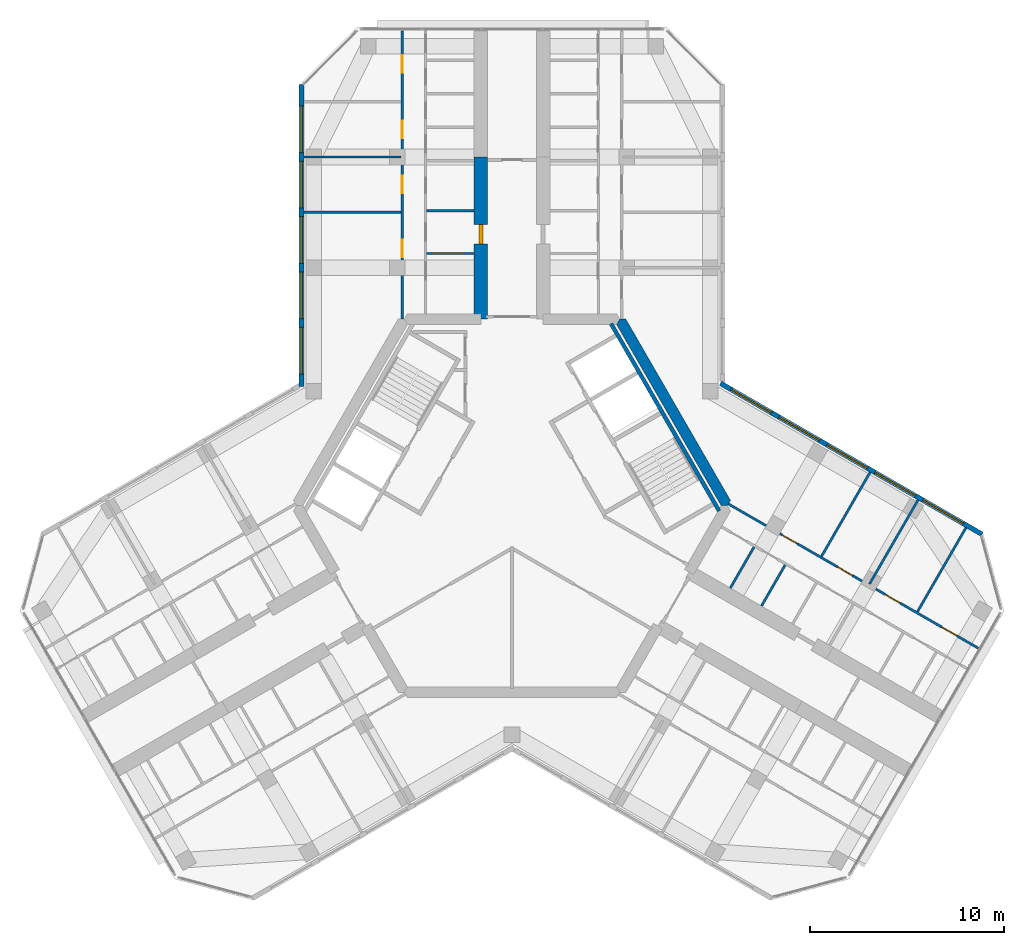
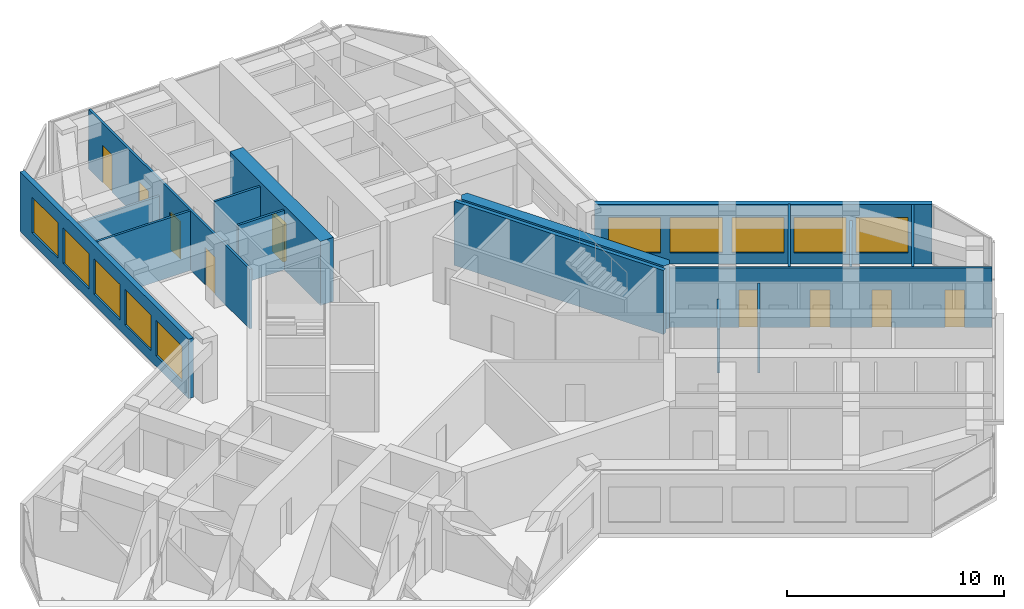
# One storey, part 11 of 14: 16 walls, 10 windows, 9 doors, 19 openings.
"""IFC4 building model written with IfcOpenShell, lengths in metres."""

from ifc_helpers import new_model, si_unit, direction, frame, frame_2d, origin, place, context, subcontext, project, spatial, polyline, rectangle, outline, extrude, material, layer, layer_set, type_object, element, fill, save


model = new_model("IFC4")

# Units and contexts
model_context = context("Model", 3, precision=1e-05, world=origin(), true_north=direction((0.0, 1.0)))
body_context = subcontext(model_context, "Body", "Model", "MODEL_VIEW")
ifc_project = project(units=[si_unit("LENGTHUNIT", "METRE"), si_unit("AREAUNIT", "SQUARE_METRE"), si_unit("VOLUMEUNIT", "CUBIC_METRE"), si_unit("PLANEANGLEUNIT", "RADIAN"), si_unit("MASSUNIT", "GRAM", prefix="KILO")], contexts=[model_context])

# Site, building, storey
site_placement = place(None, origin())
site = spatial("IfcSite", under=ifc_project, at=site_placement, CompositionType="ELEMENT")
building_placement = place(site_placement, origin())
building = spatial("IfcBuilding", under=site, at=building_placement, Name="Kosmar Iwan School Tower", CompositionType="ELEMENT")
storey_placement = place(building_placement, frame((0.0, 0.0, 281.800048828125)))
storey = spatial("IfcBuildingStorey", under=building, at=storey_placement, Name="L71", CompositionType="ELEMENT", Elevation=281.800048828125)

# Wall
ifc_material_1 = material(Name="Concrete C50/60", Category="concrete")
ifc_layer_1 = layer(ifc_material_1, 0.550048828125)
ifc_layer_set_1 = layer_set([ifc_layer_1], Name="Core wall 550")
wall_type_1 = type_object("IfcWallType", Name="Core wall 550", PredefinedType="SHEAR", material=ifc_layer_set_1)
wall_1_placement = place(storey_placement, origin())
element("IfcWall", 1, at=wall_1_placement, inside=storey, type_object=wall_type_1, Name="Core wall F030", PredefinedType="SHEAR", context=body_context, shape_type="SweptSolid", body=[
    extrude(outline(polyline([(10.767578125, 0.0), (11.085205078125, 0.0), (11.243896484375, 0.27490234375), (5.860107421875, 9.60009765625), (5.54248046875, 9.60009765625), (5.3837890625, 9.324951171875), (10.767578125, 0.0)])), origin(), (0.0, 0.0, 1.0), 3.599853515625),
])

# Wall, opening, door
ifc_material_2 = material(Name="Concrete C50/60", Category="concrete")
ifc_layer_2 = layer(ifc_material_2, 0.699951171875)
ifc_layer_set_2 = layer_set([ifc_layer_2], Name="Corridor buttress wall 700")
wall_type_2 = type_object("IfcWallType", Name="Corridor buttress wall 700", PredefinedType="SHEAR", material=ifc_layer_set_2)
wall_2_placement = place(storey_placement, frame((-1.60009765625, 9.60009765625, 0.0), z_axis=(0.0, 0.0, 1.0), x_axis=(0.0, 1.0, 0.0)))
wall_2 = element("IfcWall", 2, at=wall_2_placement, inside=storey, type_object=wall_type_2, Name="Corridor wall AL", PredefinedType="SHEAR", context=body_context, shape_type="SweptSolid", body=[
    extrude(rectangle(XDim=8.349853515625, YDim=0.699951171875, at=frame_2d((4.1748046875, 0.0))), origin(), (0.0, 0.0, 1.0), 3.599853515625),
])
opening_1_placement = place(wall_2_placement, frame((3.8798828125, 0.0, 0.0)))
opening_1 = element("IfcOpeningElement", 3, at=opening_1_placement, cuts=wall_2, Name="Opening D1", PredefinedType="OPENING", context=body_context, shape_type="SweptSolid", body=[
    extrude(rectangle(XDim=1.0, YDim=2.10009765625, at=frame_2d((0.5, 1.050048828125))), frame((0.0, 0.362060546875, 0.0), z_axis=(0.0, -1.0, 0.0), x_axis=(1.0, 0.0, 0.0)), (0.0, 0.0, 1.0), 0.723876953125),
])
ifc_material_3 = material(Name="Timber fire door in steel frame", Category="steel")
door_type_1 = type_object("IfcDoorType", Name="Flat entrance door 1000x2100", OperationType="SINGLE_SWING_LEFT", PredefinedType="DOOR", material=ifc_material_3)
door_1_placement = place(opening_1_placement, origin())
door_1 = element("IfcDoor", 4, at=door_1_placement, inside=storey, type_object=door_type_1, Name="Flat L71-AL1 entrance door", OperationType="SINGLE_SWING_LEFT", OverallHeight=2.10009765625, OverallWidth=1.0, PredefinedType="DOOR", context=body_context, shape_type="SweptSolid", body=[
    extrude(rectangle(XDim=1.0, YDim=2.10009765625, at=frame_2d((0.5, 1.050048828125))), frame((0.0, 0.10009765625, 0.0), z_axis=(0.0, -1.0, 0.0), x_axis=(1.0, 0.0, 0.0)), (0.0, 0.0, 1.0), 0.199951171875),
])
fill(opening_1, door_1)

# Wall, openings, doors
ifc_material_4 = material(Name="Gypsum board on steel studs", Category="steel")
ifc_layer_3 = layer(ifc_material_4, 0.1201171875)
ifc_layer_set_3 = layer_set([ifc_layer_3], Name="Dwelling partition 120")
wall_type_3 = type_object("IfcWallType", Name="Dwelling partition 120", PredefinedType="PARTITIONING", material=ifc_layer_set_3)
wall_3_placement = place(storey_placement, frame((-5.64990234375, 9.60009765625, 0.0), z_axis=(0.0, 0.0, 1.0), x_axis=(0.0, 1.0, 0.0)))
wall_3 = element("IfcWall", 5, at=wall_3_placement, inside=storey, type_object=wall_type_3, Name="Partition L71-AL1-W2", PredefinedType="PARTITIONING", context=body_context, shape_type="SweptSolid", body=[
    extrude(rectangle(XDim=14.844970703125, YDim=0.1201171875, at=frame_2d((7.42236328125, 0.0))), origin(), (0.0, 0.0, 1.0), 3.349853515625),
])
opening_2_placement = place(wall_3_placement, frame((3.199951171875, 0.0, 0.0)))
opening_2 = element("IfcOpeningElement", 6, at=opening_2_placement, cuts=wall_3, Name="Opening D2", PredefinedType="OPENING", context=body_context, shape_type="SweptSolid", body=[
    extrude(rectangle(XDim=0.89990234375, YDim=2.10009765625, at=frame_2d((0.449951171875, 1.050048828125))), frame((0.0, 0.072021484375, 0.0), z_axis=(0.0, -1.0, 0.0), x_axis=(1.0, 0.0, 0.0)), (0.0, 0.0, 1.0), 0.14404296875),
])
opening_3_placement = place(wall_3_placement, frame((6.47509765625, 0.0, 0.0)))
opening_3 = element("IfcOpeningElement", 7, at=opening_3_placement, cuts=wall_3, Name="Opening D2", PredefinedType="OPENING", context=body_context, shape_type="SweptSolid", body=[
    extrude(rectangle(XDim=0.89990234375, YDim=2.10009765625, at=frame_2d((0.449951171875, 1.050048828125))), frame((0.0, 0.072021484375, 0.0), z_axis=(0.0, -1.0, 0.0), x_axis=(1.0, 0.0, 0.0)), (0.0, 0.0, 1.0), 0.14404296875),
])
opening_4_placement = place(wall_3_placement, frame((9.324951171875, 0.0, 0.0)))
opening_4 = element("IfcOpeningElement", 8, at=opening_4_placement, cuts=wall_3, Name="Opening D2", PredefinedType="OPENING", context=body_context, shape_type="SweptSolid", body=[
    extrude(rectangle(XDim=0.89990234375, YDim=2.10009765625, at=frame_2d((0.449951171875, 1.050048828125))), frame((0.0, 0.072021484375, 0.0), z_axis=(0.0, -1.0, 0.0), x_axis=(1.0, 0.0, 0.0)), (0.0, 0.0, 1.0), 0.14404296875),
])
opening_5_placement = place(wall_3_placement, frame((12.675048828125, 0.0, 0.0)))
opening_5 = element("IfcOpeningElement", 9, at=opening_5_placement, cuts=wall_3, Name="Opening D2", PredefinedType="OPENING", context=body_context, shape_type="SweptSolid", body=[
    extrude(rectangle(XDim=0.89990234375, YDim=2.10009765625, at=frame_2d((0.449951171875, 1.050048828125))), frame((0.0, 0.072021484375, 0.0), z_axis=(0.0, -1.0, 0.0), x_axis=(1.0, 0.0, 0.0)), (0.0, 0.0, 1.0), 0.14404296875),
])
ifc_material_5 = material(Name="Timber door in timber frame", Category="wood")
door_type_2 = type_object("IfcDoorType", Name="Internal door 900x2100", OperationType="SINGLE_SWING_LEFT", PredefinedType="DOOR", material=ifc_material_5)
door_2_placement = place(opening_2_placement, origin())
door_2 = element("IfcDoor", 10, at=door_2_placement, inside=storey, type_object=door_type_2, Name="Living room and kitchen door L71-AL1-F1", OperationType="SINGLE_SWING_RIGHT", OverallHeight=2.10009765625, OverallWidth=0.89990234375, PredefinedType="DOOR", context=body_context, shape_type="SweptSolid", body=[
    extrude(rectangle(XDim=0.89990234375, YDim=2.10009765625, at=frame_2d((0.449951171875, 1.050048828125))), frame((0.0, 0.02490234375, 0.0), z_axis=(0.0, -1.0, 0.0), x_axis=(1.0, 0.0, 0.0)), (0.0, 0.0, 1.0), 0.050048828125),
])
fill(opening_2, door_2)
door_3_placement = place(opening_3_placement, origin())
door_3 = element("IfcDoor", 11, at=door_3_placement, inside=storey, type_object=door_type_2, Name="Dining room door L71-AL1-F2", OperationType="SINGLE_SWING_LEFT", OverallHeight=2.10009765625, OverallWidth=0.89990234375, PredefinedType="DOOR", context=body_context, shape_type="SweptSolid", body=[
    extrude(rectangle(XDim=0.89990234375, YDim=2.10009765625, at=frame_2d((0.449951171875, 1.050048828125))), frame((0.0, 0.02490234375, 0.0), z_axis=(0.0, -1.0, 0.0), x_axis=(1.0, 0.0, 0.0)), (0.0, 0.0, 1.0), 0.050048828125),
])
fill(opening_3, door_3)
door_4_placement = place(opening_4_placement, origin())
door_4 = element("IfcDoor", 12, at=door_4_placement, inside=storey, type_object=door_type_2, Name="Study door L71-AL1-F3", OperationType="SINGLE_SWING_RIGHT", OverallHeight=2.10009765625, OverallWidth=0.89990234375, PredefinedType="DOOR", context=body_context, shape_type="SweptSolid", body=[
    extrude(rectangle(XDim=0.89990234375, YDim=2.10009765625, at=frame_2d((0.449951171875, 1.050048828125))), frame((0.0, 0.02490234375, 0.0), z_axis=(0.0, -1.0, 0.0), x_axis=(1.0, 0.0, 0.0)), (0.0, 0.0, 1.0), 0.050048828125),
])
fill(opening_4, door_4)
door_5_placement = place(opening_5_placement, origin())
door_5 = element("IfcDoor", 13, at=door_5_placement, inside=storey, type_object=door_type_2, Name="Bedroom 1 door L71-AL1-F4", OperationType="SINGLE_SWING_RIGHT", OverallHeight=2.10009765625, OverallWidth=0.89990234375, PredefinedType="DOOR", context=body_context, shape_type="SweptSolid", body=[
    extrude(rectangle(XDim=0.89990234375, YDim=2.10009765625, at=frame_2d((0.449951171875, 1.050048828125))), frame((0.0, 0.02490234375, 0.0), z_axis=(0.0, -1.0, 0.0), x_axis=(1.0, 0.0, 0.0)), (0.0, 0.0, 1.0), 0.050048828125),
])
fill(opening_5, door_5)

# Walls
wall_4_placement = place(storey_placement, frame((-5.7099609375, 15.10009765625, 0.0), z_axis=(0.0, 0.0, 1.0), x_axis=(-1.0, 0.0, 0.0)))
element("IfcWall", 14, at=wall_4_placement, inside=storey, type_object=wall_type_3, Name="Partition L71-AL1-X1", PredefinedType="PARTITIONING", context=body_context, shape_type="SweptSolid", body=[
    extrude(rectangle(XDim=4.989990234375, YDim=0.1201171875, at=frame_2d((2.4951171875, 0.0))), origin(), (0.0, 0.0, 1.0), 3.349853515625),
])
wall_5_placement = place(storey_placement, frame((-5.7099609375, 17.949951171875, 0.0), z_axis=(0.0, 0.0, 1.0), x_axis=(-1.0, 0.0, 0.0)))
element("IfcWall", 15, at=wall_5_placement, inside=storey, type_object=wall_type_3, Name="Partition L71-AL1-X2", PredefinedType="PARTITIONING", context=body_context, shape_type="SweptSolid", body=[
    extrude(rectangle(XDim=4.989990234375, YDim=0.1201171875, at=frame_2d((2.4951171875, 0.0))), origin(), (0.0, 0.0, 1.0), 2.449951171875),
])
for number, where, z_axis, x_axis, name in (
    (16, (-1.949951171875, 12.97998046875, 0.0), (0.0, 0.0, 1.0), (-1.0, 0.0, 0.0), "Partition L71-AL1-Y1"),
    (17, (-1.949951171875, 15.179931640625, 0.0), (0.0, 0.0, 1.0), (-1.0, 0.0, 0.0), "Partition L71-AL1-Y2"),
):
    element("IfcWall", number, at=place(storey_placement, frame(where, z_axis=z_axis, x_axis=x_axis)), inside=storey, type_object=wall_type_3, Name=name, PredefinedType="PARTITIONING", context=body_context, shape_type="SweptSolid", body=[
        extrude(rectangle(XDim=2.43994140625, YDim=0.1201171875, at=frame_2d((1.219970703125, 0.0))), origin(), (0.0, 0.0, 1.0), 3.349853515625),
    ])

# Wall, openings, doors
wall_6_placement = place(storey_placement, frame((11.138916015625, 0.093017578125, 0.0), z_axis=(0.0, 0.0, 1.0), x_axis=(0.866030301974, -0.499991515992, 0.0)))
wall_6 = element("IfcWall", 18, at=wall_6_placement, inside=storey, type_object=wall_type_3, Name="Partition L71-CL1-W2", PredefinedType="PARTITIONING", context=body_context, shape_type="SweptSolid", body=[
    extrude(rectangle(XDim=14.844970703125, YDim=0.1201171875, at=frame_2d((7.42236328125, 0.0))), origin(), (0.0, 0.0, 1.0), 3.349853515625),
])
opening_6_placement = place(wall_6_placement, frame((3.199951171875, 0.0, 0.0)))
opening_6 = element("IfcOpeningElement", 19, at=opening_6_placement, cuts=wall_6, Name="Opening D2", PredefinedType="OPENING", context=body_context, shape_type="SweptSolid", body=[
    extrude(rectangle(XDim=0.89990234375, YDim=2.10009765625, at=frame_2d((0.449951171875, 1.050048828125))), frame((0.0, 0.072021484375, 0.0), z_axis=(0.0, -1.0, 0.0), x_axis=(1.0, 0.0, 0.0)), (0.0, 0.0, 1.0), 0.14404296875),
])
opening_7_placement = place(wall_6_placement, frame((6.47509765625, 0.0, 0.0)))
opening_7 = element("IfcOpeningElement", 20, at=opening_7_placement, cuts=wall_6, Name="Opening D2", PredefinedType="OPENING", context=body_context, shape_type="SweptSolid", body=[
    extrude(rectangle(XDim=0.89990234375, YDim=2.10009765625, at=frame_2d((0.449951171875, 1.050048828125))), frame((0.0, 0.072021484375, 0.0), z_axis=(0.0, -1.0, 0.0), x_axis=(1.0, 0.0, 0.0)), (0.0, 0.0, 1.0), 0.14404296875),
])
opening_8_placement = place(wall_6_placement, frame((9.324951171875, 0.0, 0.0)))
opening_8 = element("IfcOpeningElement", 21, at=opening_8_placement, cuts=wall_6, Name="Opening D2", PredefinedType="OPENING", context=body_context, shape_type="SweptSolid", body=[
    extrude(rectangle(XDim=0.89990234375, YDim=2.10009765625, at=frame_2d((0.449951171875, 1.050048828125))), frame((0.0, 0.072021484375, 0.0), z_axis=(0.0, -1.0, 0.0), x_axis=(1.0, 0.0, 0.0)), (0.0, 0.0, 1.0), 0.14404296875),
])
opening_9_placement = place(wall_6_placement, frame((12.675048828125, 0.0, 0.0)))
opening_9 = element("IfcOpeningElement", 22, at=opening_9_placement, cuts=wall_6, Name="Opening D2", PredefinedType="OPENING", context=body_context, shape_type="SweptSolid", body=[
    extrude(rectangle(XDim=0.89990234375, YDim=2.10009765625, at=frame_2d((0.449951171875, 1.050048828125))), frame((0.0, 0.072021484375, 0.0), z_axis=(0.0, -1.0, 0.0), x_axis=(1.0, 0.0, 0.0)), (0.0, 0.0, 1.0), 0.14404296875),
])
door_6_placement = place(opening_6_placement, origin())
door_6 = element("IfcDoor", 23, at=door_6_placement, inside=storey, type_object=door_type_2, Name="Living room and kitchen door L71-CL1-F1", OperationType="SINGLE_SWING_RIGHT", OverallHeight=2.10009765625, OverallWidth=0.89990234375, PredefinedType="DOOR", context=body_context, shape_type="SweptSolid", body=[
    extrude(rectangle(XDim=0.89990234375, YDim=2.10009765625, at=frame_2d((0.449951171875, 1.050048828125))), frame((0.0, 0.02490234375, 0.0), z_axis=(0.0, -1.0, 0.0), x_axis=(1.0, 0.0, 0.0)), (0.0, 0.0, 1.0), 0.050048828125),
])
fill(opening_6, door_6)
door_7_placement = place(opening_7_placement, origin())
door_7 = element("IfcDoor", 24, at=door_7_placement, inside=storey, type_object=door_type_2, Name="Dining room door L71-CL1-F2", OperationType="SINGLE_SWING_RIGHT", OverallHeight=2.10009765625, OverallWidth=0.89990234375, PredefinedType="DOOR", context=body_context, shape_type="SweptSolid", body=[
    extrude(rectangle(XDim=0.89990234375, YDim=2.10009765625, at=frame_2d((0.449951171875, 1.050048828125))), frame((0.0, 0.02490234375, 0.0), z_axis=(0.0, -1.0, 0.0), x_axis=(1.0, 0.0, 0.0)), (0.0, 0.0, 1.0), 0.050048828125),
])
fill(opening_7, door_7)
door_8_placement = place(opening_8_placement, origin())
door_8 = element("IfcDoor", 25, at=door_8_placement, inside=storey, type_object=door_type_2, Name="Bedroom 1 door L71-CL1-F3", OperationType="SINGLE_SWING_LEFT", OverallHeight=2.10009765625, OverallWidth=0.89990234375, PredefinedType="DOOR", context=body_context, shape_type="SweptSolid", body=[
    extrude(rectangle(XDim=0.89990234375, YDim=2.10009765625, at=frame_2d((0.449951171875, 1.050048828125))), frame((0.0, 0.02490234375, 0.0), z_axis=(0.0, -1.0, 0.0), x_axis=(1.0, 0.0, 0.0)), (0.0, 0.0, 1.0), 0.050048828125),
])
fill(opening_8, door_8)
door_9_placement = place(opening_9_placement, origin())
door_9 = element("IfcDoor", 26, at=door_9_placement, inside=storey, type_object=door_type_2, Name="Study door L71-CL1-F4", OperationType="SINGLE_SWING_RIGHT", OverallHeight=2.10009765625, OverallWidth=0.89990234375, PredefinedType="DOOR", context=body_context, shape_type="SweptSolid", body=[
    extrude(rectangle(XDim=0.89990234375, YDim=2.10009765625, at=frame_2d((0.449951171875, 1.050048828125))), frame((0.0, 0.02490234375, 0.0), z_axis=(0.0, -1.0, 0.0), x_axis=(1.0, 0.0, 0.0)), (0.0, 0.0, 1.0), 0.050048828125),
])
fill(opening_9, door_9)

# Walls
wall_7_placement = place(storey_placement, frame((15.931884765625, -2.60498046875, 0.0), z_axis=(0.0, 0.0, 1.0), x_axis=(0.500011847778, 0.866018563358, 0.0)))
element("IfcWall", 27, at=wall_7_placement, inside=storey, type_object=wall_type_3, Name="Partition L71-CL1-X1", PredefinedType="PARTITIONING", context=body_context, shape_type="SweptSolid", body=[
    extrude(rectangle(XDim=4.990234375, YDim=0.1201171875, at=frame_2d((2.4951171875, 0.0))), origin(), (0.0, 0.0, 1.0), 3.349853515625),
])
wall_8_placement = place(storey_placement, frame((18.400146484375, -4.030029296875, 0.0), z_axis=(0.0, 0.0, 1.0), x_axis=(0.500011847778, 0.866018563358, 0.0)))
element("IfcWall", 28, at=wall_8_placement, inside=storey, type_object=wall_type_3, Name="Partition L71-CL1-X2", PredefinedType="PARTITIONING", context=body_context, shape_type="SweptSolid", body=[
    extrude(rectangle(XDim=4.990234375, YDim=0.1201171875, at=frame_2d((2.4951171875, 0.0))), origin(), (0.0, 0.0, 1.0), 2.449951171875),
])
wall_9_placement = place(storey_placement, frame((20.868408203125, -5.455078125, 0.0), z_axis=(0.0, 0.0, 1.0), x_axis=(0.499975153383, 0.86603974851, 0.0)))
element("IfcWall", 29, at=wall_9_placement, inside=storey, type_object=wall_type_3, Name="Partition L71-CL1-X3", PredefinedType="PARTITIONING", context=body_context, shape_type="SweptSolid", body=[
    extrude(rectangle(XDim=4.989990234375, YDim=0.1201171875, at=frame_2d((2.4951171875, 0.0))), origin(), (0.0, 0.0, 1.0), 3.349853515625),
])
wall_10_placement = place(storey_placement, frame((11.2373046875, -4.236328125, 0.0), z_axis=(0.0, 0.0, 1.0), x_axis=(0.500034220881, 0.866005645448, 0.0)))
element("IfcWall", 30, at=wall_10_placement, inside=storey, type_object=wall_type_3, Name="Partition L71-CL1-Y1", PredefinedType="PARTITIONING", context=body_context, shape_type="SweptSolid", body=[
    extrude(rectangle(XDim=2.440185546875, YDim=0.1201171875, at=frame_2d((1.22021484375, 0.0))), origin(), (0.0, 0.0, 1.0), 2.449951171875),
])
wall_11_placement = place(storey_placement, frame((12.839599609375, -5.161376953125, 0.0), z_axis=(0.0, 0.0, 1.0), x_axis=(0.499959183527, 0.866048967903, 0.0)))
element("IfcWall", 31, at=wall_11_placement, inside=storey, type_object=wall_type_3, Name="Partition L71-CL1-Y2", PredefinedType="PARTITIONING", context=body_context, shape_type="SweptSolid", body=[
    extrude(rectangle(XDim=2.440185546875, YDim=0.1201171875, at=frame_2d((1.22021484375, 0.0))), origin(), (0.0, 0.0, 1.0), 3.349853515625),
])

# Wall, openings, windows
ifc_material_6 = material(Name="Black aluminium rainscreen on insulated framing", Category="aluminium")
ifc_layer_4 = layer(ifc_material_6, 0.25)
ifc_layer_set_4 = layer_set([ifc_layer_4], Name="External wall rainscreen 250")
wall_type_4 = type_object("IfcWallType", Name="External wall rainscreen 250", PredefinedType="SOLIDWALL", material=ifc_layer_set_4)
wall_12_placement = place(storey_placement, frame((10.73681640625, 6.30078125, 0.0), z_axis=(0.0, 0.0, 1.0), x_axis=(0.866023091024, -0.500004005797, 0.0)))
wall_12 = element("IfcWall", 32, at=wall_12_placement, inside=storey, type_object=wall_type_4, Name="External wall CL L71", PredefinedType="SOLIDWALL", context=body_context, shape_type="SweptSolid", body=[
    extrude(rectangle(XDim=15.537353515625, YDim=0.25, at=frame_2d((7.7685546875, 0.0))), origin(), (0.0, 0.0, 1.0), 3.349853515625),
])
opening_10_placement = place(wall_12_placement, frame((0.626953125, 0.0, 0.60009765625)))
opening_10 = element("IfcOpeningElement", 33, at=opening_10_placement, cuts=wall_12, Name="Opening W6", PredefinedType="OPENING", context=body_context, shape_type="SweptSolid", body=[
    extrude(rectangle(XDim=2.39990234375, YDim=2.0, at=frame_2d((1.199951171875, 1.0))), frame((0.0, 0.136962890625, 0.0), z_axis=(0.0, -1.0, 0.0), x_axis=(1.0, 0.0, 0.0)), (0.0, 0.0, 1.0), 0.27392578125),
])
opening_11_placement = place(wall_12_placement, frame((3.47705078125, 0.0, 0.60009765625)))
opening_11 = element("IfcOpeningElement", 34, at=opening_11_placement, cuts=wall_12, Name="Opening W6", PredefinedType="OPENING", context=body_context, shape_type="SweptSolid", body=[
    extrude(rectangle(XDim=2.39990234375, YDim=2.0, at=frame_2d((1.199951171875, 1.0))), frame((0.0, 0.136962890625, 0.0), z_axis=(0.0, -1.0, 0.0), x_axis=(1.0, 0.0, 0.0)), (0.0, 0.0, 1.0), 0.27392578125),
])
opening_12_placement = place(wall_12_placement, frame((6.326904296875, 0.0, 0.60009765625)))
opening_12 = element("IfcOpeningElement", 35, at=opening_12_placement, cuts=wall_12, Name="Opening W6", PredefinedType="OPENING", context=body_context, shape_type="SweptSolid", body=[
    extrude(rectangle(XDim=2.39990234375, YDim=2.0, at=frame_2d((1.199951171875, 1.0))), frame((0.0, 0.136962890625, 0.0), z_axis=(0.0, -1.0, 0.0), x_axis=(1.0, 0.0, 0.0)), (0.0, 0.0, 1.0), 0.27392578125),
])
opening_13_placement = place(wall_12_placement, frame((9.177001953125, 0.0, 0.60009765625)))
opening_13 = element("IfcOpeningElement", 36, at=opening_13_placement, cuts=wall_12, Name="Opening W6", PredefinedType="OPENING", context=body_context, shape_type="SweptSolid", body=[
    extrude(rectangle(XDim=2.39990234375, YDim=2.0, at=frame_2d((1.199951171875, 1.0))), frame((0.0, 0.136962890625, 0.0), z_axis=(0.0, -1.0, 0.0), x_axis=(1.0, 0.0, 0.0)), (0.0, 0.0, 1.0), 0.27392578125),
])
opening_14_placement = place(wall_12_placement, frame((12.027099609375, 0.0, 0.60009765625)))
opening_14 = element("IfcOpeningElement", 37, at=opening_14_placement, cuts=wall_12, Name="Opening W6", PredefinedType="OPENING", context=body_context, shape_type="SweptSolid", body=[
    extrude(rectangle(XDim=2.39990234375, YDim=2.0, at=frame_2d((1.199951171875, 1.0))), frame((0.0, 0.136962890625, 0.0), z_axis=(0.0, -1.0, 0.0), x_axis=(1.0, 0.0, 0.0)), (0.0, 0.0, 1.0), 0.27392578125),
])
ifc_material_7 = material(Name="Black aluminium frame with dark triple glazing", Category="aluminium")
window_type = type_object("IfcWindowType", Name="Window 2400x2000", PartitioningType="SINGLE_PANEL", PredefinedType="WINDOW", material=ifc_material_7)
window_1_placement = place(opening_10_placement, origin())
window_1 = element("IfcWindow", 38, at=window_1_placement, inside=storey, type_object=window_type, Name="Window CL L71 -1", OverallHeight=2.0, OverallWidth=2.39990234375, PartitioningType="SINGLE_PANEL", PredefinedType="WINDOW", context=body_context, shape_type="SweptSolid", body=[
    extrude(rectangle(XDim=2.39990234375, YDim=2.0, at=frame_2d((1.199951171875, 1.0))), frame((0.0, 0.030029296875, 0.0), z_axis=(0.0, -1.0, 0.0), x_axis=(1.0, 0.0, 0.0)), (0.0, 0.0, 1.0), 0.06005859375),
])
fill(opening_10, window_1)
window_2_placement = place(opening_11_placement, origin())
window_2 = element("IfcWindow", 39, at=window_2_placement, inside=storey, type_object=window_type, Name="Window CL L71 0", OverallHeight=2.0, OverallWidth=2.39990234375, PartitioningType="SINGLE_PANEL", PredefinedType="WINDOW", context=body_context, shape_type="SweptSolid", body=[
    extrude(rectangle(XDim=2.39990234375, YDim=2.0, at=frame_2d((1.199951171875, 1.0))), frame((0.0, 0.030029296875, 0.0), z_axis=(0.0, -1.0, 0.0), x_axis=(1.0, 0.0, 0.0)), (0.0, 0.0, 1.0), 0.06005859375),
])
fill(opening_11, window_2)
window_3_placement = place(opening_12_placement, origin())
window_3 = element("IfcWindow", 40, at=window_3_placement, inside=storey, type_object=window_type, Name="Window CL L71 1", OverallHeight=2.0, OverallWidth=2.39990234375, PartitioningType="SINGLE_PANEL", PredefinedType="WINDOW", context=body_context, shape_type="SweptSolid", body=[
    extrude(rectangle(XDim=2.39990234375, YDim=2.0, at=frame_2d((1.199951171875, 1.0))), frame((0.0, 0.030029296875, 0.0), z_axis=(0.0, -1.0, 0.0), x_axis=(1.0, 0.0, 0.0)), (0.0, 0.0, 1.0), 0.06005859375),
])
fill(opening_12, window_3)
window_4_placement = place(opening_13_placement, origin())
window_4 = element("IfcWindow", 41, at=window_4_placement, inside=storey, type_object=window_type, Name="Window CL L71 2", OverallHeight=2.0, OverallWidth=2.39990234375, PartitioningType="SINGLE_PANEL", PredefinedType="WINDOW", context=body_context, shape_type="SweptSolid", body=[
    extrude(rectangle(XDim=2.39990234375, YDim=2.0, at=frame_2d((1.199951171875, 1.0))), frame((0.0, 0.030029296875, 0.0), z_axis=(0.0, -1.0, 0.0), x_axis=(1.0, 0.0, 0.0)), (0.0, 0.0, 1.0), 0.06005859375),
])
fill(opening_13, window_4)
window_5_placement = place(opening_14_placement, origin())
window_5 = element("IfcWindow", 42, at=window_5_placement, inside=storey, type_object=window_type, Name="Window CL L71 3", OverallHeight=2.0, OverallWidth=2.39990234375, PartitioningType="SINGLE_PANEL", PredefinedType="WINDOW", context=body_context, shape_type="SweptSolid", body=[
    extrude(rectangle(XDim=2.39990234375, YDim=2.0, at=frame_2d((1.199951171875, 1.0))), frame((0.0, 0.030029296875, 0.0), z_axis=(0.0, -1.0, 0.0), x_axis=(1.0, 0.0, 0.0)), (0.0, 0.0, 1.0), 0.06005859375),
])
fill(opening_14, window_5)

wall_13_placement = place(storey_placement, frame((-10.824951171875, 6.14794921875, 0.0), z_axis=(0.0, 0.0, 1.0), x_axis=(0.0, 1.0, 0.0)))
wall_13 = element("IfcWall", 43, at=wall_13_placement, inside=storey, type_object=wall_type_4, Name="External wall AL L71", PredefinedType="SOLIDWALL", context=body_context, shape_type="SweptSolid", body=[
    extrude(rectangle(XDim=15.537353515625, YDim=0.25, at=frame_2d((7.7685546875, 0.0))), origin(), (0.0, 0.0, 1.0), 3.349853515625),
])
opening_15_placement = place(wall_13_placement, frame((0.626953125, 0.0, 0.60009765625)))
opening_15 = element("IfcOpeningElement", 44, at=opening_15_placement, cuts=wall_13, Name="Opening W6", PredefinedType="OPENING", context=body_context, shape_type="SweptSolid", body=[
    extrude(rectangle(XDim=2.39990234375, YDim=2.0, at=frame_2d((1.199951171875, 1.0))), frame((0.0, 0.136962890625, 0.0), z_axis=(0.0, -1.0, 0.0), x_axis=(1.0, 0.0, 0.0)), (0.0, 0.0, 1.0), 0.27392578125),
])
opening_16_placement = place(wall_13_placement, frame((3.47705078125, 0.0, 0.60009765625)))
opening_16 = element("IfcOpeningElement", 45, at=opening_16_placement, cuts=wall_13, Name="Opening W6", PredefinedType="OPENING", context=body_context, shape_type="SweptSolid", body=[
    extrude(rectangle(XDim=2.39990234375, YDim=2.0, at=frame_2d((1.199951171875, 1.0))), frame((0.0, 0.136962890625, 0.0), z_axis=(0.0, -1.0, 0.0), x_axis=(1.0, 0.0, 0.0)), (0.0, 0.0, 1.0), 0.27392578125),
])
opening_17_placement = place(wall_13_placement, frame((6.326904296875, 0.0, 0.60009765625)))
opening_17 = element("IfcOpeningElement", 46, at=opening_17_placement, cuts=wall_13, Name="Opening W6", PredefinedType="OPENING", context=body_context, shape_type="SweptSolid", body=[
    extrude(rectangle(XDim=2.39990234375, YDim=2.0, at=frame_2d((1.199951171875, 1.0))), frame((0.0, 0.136962890625, 0.0), z_axis=(0.0, -1.0, 0.0), x_axis=(1.0, 0.0, 0.0)), (0.0, 0.0, 1.0), 0.27392578125),
])
opening_18_placement = place(wall_13_placement, frame((9.177001953125, 0.0, 0.60009765625)))
opening_18 = element("IfcOpeningElement", 47, at=opening_18_placement, cuts=wall_13, Name="Opening W6", PredefinedType="OPENING", context=body_context, shape_type="SweptSolid", body=[
    extrude(rectangle(XDim=2.39990234375, YDim=2.0, at=frame_2d((1.199951171875, 1.0))), frame((0.0, 0.136962890625, 0.0), z_axis=(0.0, -1.0, 0.0), x_axis=(1.0, 0.0, 0.0)), (0.0, 0.0, 1.0), 0.27392578125),
])
opening_19_placement = place(wall_13_placement, frame((12.027099609375, 0.0, 0.60009765625)))
opening_19 = element("IfcOpeningElement", 48, at=opening_19_placement, cuts=wall_13, Name="Opening W6", PredefinedType="OPENING", context=body_context, shape_type="SweptSolid", body=[
    extrude(rectangle(XDim=2.39990234375, YDim=2.0, at=frame_2d((1.199951171875, 1.0))), frame((0.0, 0.136962890625, 0.0), z_axis=(0.0, -1.0, 0.0), x_axis=(1.0, 0.0, 0.0)), (0.0, 0.0, 1.0), 0.27392578125),
])
window_6_placement = place(opening_15_placement, origin())
window_6 = element("IfcWindow", 49, at=window_6_placement, inside=storey, type_object=window_type, Name="Window AL L71 -1", OverallHeight=2.0, OverallWidth=2.39990234375, PartitioningType="SINGLE_PANEL", PredefinedType="WINDOW", context=body_context, shape_type="SweptSolid", body=[
    extrude(rectangle(XDim=2.39990234375, YDim=2.0, at=frame_2d((1.199951171875, 1.0))), frame((0.0, 0.030029296875, 0.0), z_axis=(0.0, -1.0, 0.0), x_axis=(1.0, 0.0, 0.0)), (0.0, 0.0, 1.0), 0.06005859375),
])
fill(opening_15, window_6)
window_7_placement = place(opening_16_placement, origin())
window_7 = element("IfcWindow", 50, at=window_7_placement, inside=storey, type_object=window_type, Name="Window AL L71 0", OverallHeight=2.0, OverallWidth=2.39990234375, PartitioningType="SINGLE_PANEL", PredefinedType="WINDOW", context=body_context, shape_type="SweptSolid", body=[
    extrude(rectangle(XDim=2.39990234375, YDim=2.0, at=frame_2d((1.199951171875, 1.0))), frame((0.0, 0.030029296875, 0.0), z_axis=(0.0, -1.0, 0.0), x_axis=(1.0, 0.0, 0.0)), (0.0, 0.0, 1.0), 0.06005859375),
])
fill(opening_16, window_7)
window_8_placement = place(opening_17_placement, origin())
window_8 = element("IfcWindow", 51, at=window_8_placement, inside=storey, type_object=window_type, Name="Window AL L71 1", OverallHeight=2.0, OverallWidth=2.39990234375, PartitioningType="SINGLE_PANEL", PredefinedType="WINDOW", context=body_context, shape_type="SweptSolid", body=[
    extrude(rectangle(XDim=2.39990234375, YDim=2.0, at=frame_2d((1.199951171875, 1.0))), frame((0.0, 0.030029296875, 0.0), z_axis=(0.0, -1.0, 0.0), x_axis=(1.0, 0.0, 0.0)), (0.0, 0.0, 1.0), 0.06005859375),
])
fill(opening_17, window_8)
window_9_placement = place(opening_18_placement, origin())
window_9 = element("IfcWindow", 52, at=window_9_placement, inside=storey, type_object=window_type, Name="Window AL L71 2", OverallHeight=2.0, OverallWidth=2.39990234375, PartitioningType="SINGLE_PANEL", PredefinedType="WINDOW", context=body_context, shape_type="SweptSolid", body=[
    extrude(rectangle(XDim=2.39990234375, YDim=2.0, at=frame_2d((1.199951171875, 1.0))), frame((0.0, 0.030029296875, 0.0), z_axis=(0.0, -1.0, 0.0), x_axis=(1.0, 0.0, 0.0)), (0.0, 0.0, 1.0), 0.06005859375),
])
fill(opening_18, window_9)
window_10_placement = place(opening_19_placement, origin())
window_10 = element("IfcWindow", 53, at=window_10_placement, inside=storey, type_object=window_type, Name="Window AL L71 3", OverallHeight=2.0, OverallWidth=2.39990234375, PartitioningType="SINGLE_PANEL", PredefinedType="WINDOW", context=body_context, shape_type="SweptSolid", body=[
    extrude(rectangle(XDim=2.39990234375, YDim=2.0, at=frame_2d((1.199951171875, 1.0))), frame((0.0, 0.030029296875, 0.0), z_axis=(0.0, -1.0, 0.0), x_axis=(1.0, 0.0, 0.0)), (0.0, 0.0, 1.0), 0.06005859375),
])
fill(opening_19, window_10)

# Wall
ifc_material_8 = material(Name="Concrete C50/60", Category="concrete")
ifc_layer_5 = layer(ifc_material_8, 0.199951171875)
ifc_layer_set_5 = layer_set([ifc_layer_5], Name="Lift shaft wall 200")
wall_type_5 = type_object("IfcWallType", Name="Lift shaft wall 200", PredefinedType="SHEAR", material=ifc_layer_set_5)
wall_14_placement = place(storey_placement, frame((10.66650390625, -0.27490234375, 0.0), z_axis=(0.0, 0.0, 1.0), x_axis=(-0.499994302092, 0.866028693448, 0.0)))
element("IfcWall", 54, at=wall_14_placement, inside=storey, type_object=wall_type_5, Name="Lift and stair back wall AC", PredefinedType="SHEAR", context=body_context, shape_type="SweptSolid", body=[
    extrude(rectangle(XDim=11.142822265625, YDim=0.199951171875, at=frame_2d((5.5712890625, 0.0))), origin(), (0.0, 0.0, 1.0), 3.599853515625),
])

save(model, "model.ifc")
